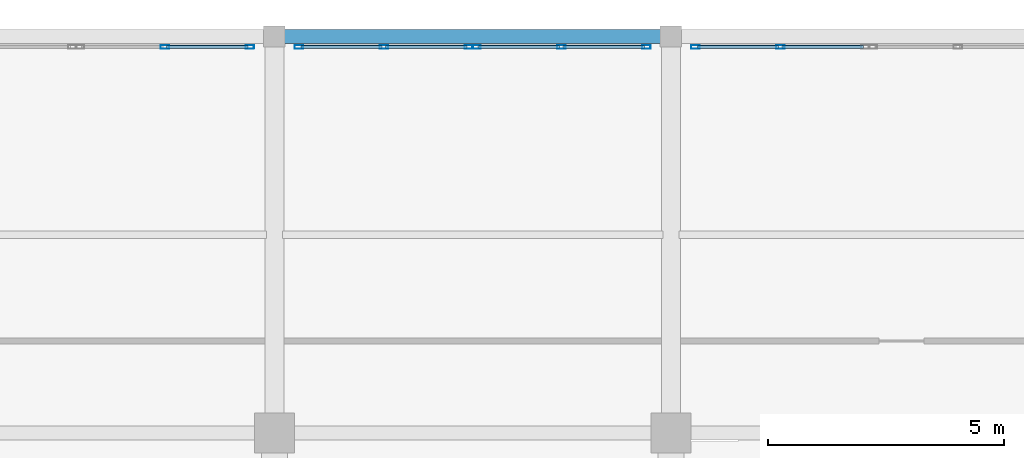
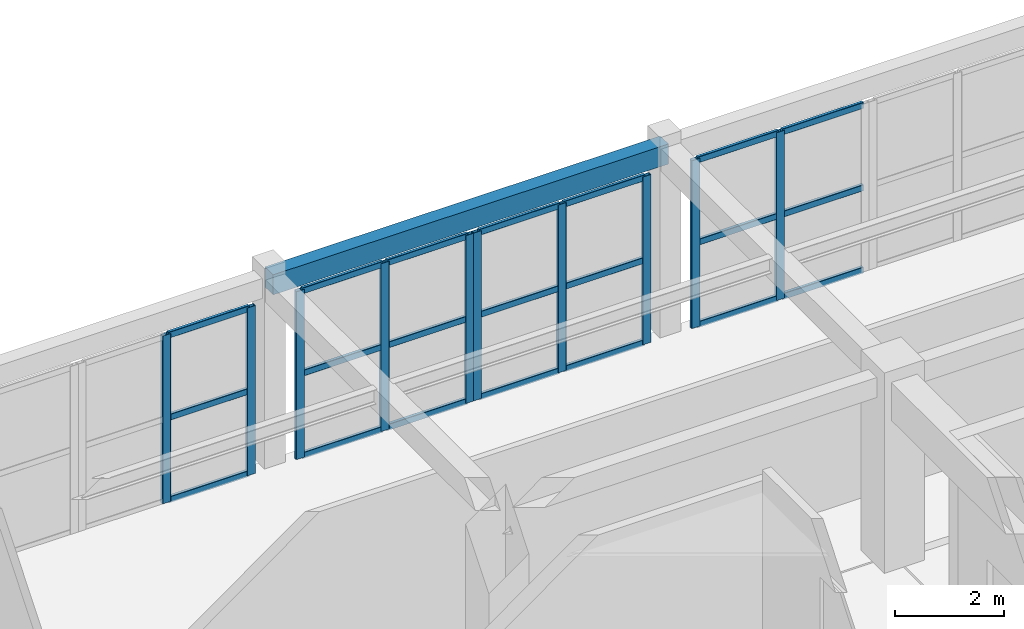
# One storey, part 39 of 92: 31 members, 1 beam, 4 elements without a shape of their own.
"""IFC4 building model written with IfcOpenShell, lengths in metres."""

from ifc_helpers import new_model, si_unit, direction, frame, origin, origin_2d, place, context, subcontext, project, spatial, rectangle, hollow_rectangle, extrude, material, layer, layer_set, material_profile, profile_set, type_object, element, aggregate, save


model = new_model("IFC4")

# Units and contexts
model_context = context("Model", 3, precision=1e-05, world=origin(), true_north=direction((0.0, 1.0)))
body_context = subcontext(model_context, "Body", "Model", "MODEL_VIEW")
ifc_project = project(units=[si_unit("LENGTHUNIT", "METRE"), si_unit("AREAUNIT", "SQUARE_METRE"), si_unit("VOLUMEUNIT", "CUBIC_METRE"), si_unit("PLANEANGLEUNIT", "RADIAN"), si_unit("MASSUNIT", "GRAM", prefix="KILO")], contexts=[model_context])

# Site, building, storey
site_placement = place(None, origin())
site = spatial("IfcSite", under=ifc_project, at=site_placement, CompositionType="ELEMENT")
building_placement = place(site_placement, origin())
building = spatial("IfcBuilding", under=site, at=building_placement, Name="Tarnavel Promenade Courthouse", CompositionType="ELEMENT")
storey_placement = place(building_placement, frame((0.0, 0.0, 5.39990234375)))
storey = spatial("IfcBuildingStorey", under=building, at=storey_placement, Name="L02", CompositionType="ELEMENT", Elevation=5.39990234375)

# Beam
ifc_material_1 = material(Name="Concrete C40/50", Category="concrete")
ifc_material_profile_1 = material_profile(ifc_material_1, rectangle(XDim=0.300048828125, YDim=0.449951171875, at=origin_2d()), Name="RC 300x450")
ifc_profile_set_1 = profile_set([ifc_material_profile_1], Name="Concrete C40/50")
beam_type = type_object("IfcBeamType", Name="Concrete C40/50 BM-SP-300x450 (RC 300x450)", PredefinedType="SPANDREL", material=ifc_profile_set_1)
beam_placement = place(storey_placement, frame((67.199951171875, 112.800048828125, 4.010009765625), z_axis=(1.0, 0.0, 0.0), x_axis=(0.0, 1.0, 0.0)))
element("IfcBeam", 1, at=beam_placement, inside=storey, type_object=beam_type, Name="L02 Primary Longitudinal Beam 1217", PredefinedType="SPANDREL", context=body_context, shape_type="SweptSolid", body=[
    extrude(rectangle(XDim=0.300048828125, YDim=0.449951171875, at=origin_2d()), origin(), (0.0, 0.0, 1.0), 8.400146484375),
])

# Curtain wall, members
ifc_material_2 = material(Name="Thermally Broken Anodised Aluminium Curtain Wall System", Category="aluminium")
ifc_layer = layer(ifc_material_2, 0.199951171875)
ifc_layer_set = layer_set([ifc_layer], Name="Thermally Broken Anodised Aluminium Curtain Wall System")
curtain_wall_type = type_object("IfcCurtainWallType", Name="Thermally Broken Aluminium Triple-Glazed Curtain Wall CW-FOYER", PredefinedType="NOTDEFINED", material=ifc_layer_set)
curtain_wall_1_placement = place(storey_placement, origin())
curtain_wall_1 = element("IfcCurtainWall", 2, at=curtain_wall_1_placement, inside=storey, type_object=curtain_wall_type, Name="L02 North Foyer Curtain Wall B 129", PredefinedType="NOTDEFINED")
ifc_material_3 = material(Name="Thermally Broken Anodised Aluminium Frame", Category="aluminium")
ifc_material_profile_2 = material_profile(ifc_material_3, hollow_rectangle(XDim=0.080078125, YDim=0.179931640625, WallThickness=0.0048828125, InnerFilletRadius=0.0048828125, OuterFilletRadius=0.010009765625, at=origin_2d()), Name="CWM 180x80x5")
ifc_profile_set_2 = profile_set([ifc_material_profile_2], Name="Thermally Broken Anodised Aluminium Frame")
member_type_1 = type_object("IfcMemberType", Name="Thermally Broken Anodised Aluminium CWM-155 (CWM 180x80x5)", PredefinedType="MULLION", material=ifc_profile_set_2)
member_1_placement = place(storey_placement, frame((64.8798828125, 112.580078125, 0.0), z_axis=(0.0, 0.0, 1.0), x_axis=(0.0, 1.0, 0.0)))
member_1 = element("IfcMember", 3, at=member_1_placement, type_object=member_type_1, Name="CW-04 mullion 2", PredefinedType="MULLION", context=body_context, shape_type="SweptSolid", body=[
    extrude(hollow_rectangle(XDim=0.080078125, YDim=0.179931640625, WallThickness=0.0048828125, InnerFilletRadius=0.0048828125, OuterFilletRadius=0.010009765625, at=origin_2d()), origin(), (0.0, 0.0, 1.0), 3.77001953125),
])
member_2_placement = place(storey_placement, frame((66.679931640625, 112.580078125, 0.0), z_axis=(0.0, 0.0, 1.0), x_axis=(0.0, 1.0, 0.0)))
member_2 = element("IfcMember", 4, at=member_2_placement, type_object=member_type_1, Name="CW-04 mullion 3", PredefinedType="MULLION", context=body_context, shape_type="SweptSolid", body=[
    extrude(hollow_rectangle(XDim=0.080078125, YDim=0.179931640625, WallThickness=0.0048828125, InnerFilletRadius=0.0048828125, OuterFilletRadius=0.010009765625, at=origin_2d()), origin(), (0.0, 0.0, 1.0), 3.77001953125),
])

curtain_wall_2_placement = place(storey_placement, origin())
curtain_wall_2 = element("IfcCurtainWall", 5, at=curtain_wall_2_placement, inside=storey, type_object=curtain_wall_type, Name="L02 North Foyer Curtain Wall A 130", PredefinedType="NOTDEFINED")
member_3_placement = place(storey_placement, frame((67.719970703125, 112.580078125, 0.0), z_axis=(0.0, 0.0, 1.0), x_axis=(0.0, 1.0, 0.0)))
member_3 = element("IfcMember", 6, at=member_3_placement, type_object=member_type_1, Name="CW-04 mullion 1", PredefinedType="MULLION", context=body_context, shape_type="SweptSolid", body=[
    extrude(hollow_rectangle(XDim=0.080078125, YDim=0.179931640625, WallThickness=0.0048828125, InnerFilletRadius=0.0048828125, OuterFilletRadius=0.010009765625, at=origin_2d()), origin(), (0.0, 0.0, 1.0), 3.77001953125),
])
member_4_placement = place(storey_placement, frame((69.52001953125, 112.580078125, 0.0), z_axis=(0.0, 0.0, 1.0), x_axis=(0.0, 1.0, 0.0)))
member_4 = element("IfcMember", 7, at=member_4_placement, type_object=member_type_1, Name="CW-04 mullion 2", PredefinedType="MULLION", context=body_context, shape_type="SweptSolid", body=[
    extrude(hollow_rectangle(XDim=0.080078125, YDim=0.179931640625, WallThickness=0.0048828125, InnerFilletRadius=0.0048828125, OuterFilletRadius=0.010009765625, at=origin_2d()), origin(), (0.0, 0.0, 1.0), 3.77001953125),
])
member_5_placement = place(storey_placement, frame((71.320068359375, 112.580078125, 0.0), z_axis=(0.0, 0.0, 1.0), x_axis=(0.0, 1.0, 0.0)))
member_5 = element("IfcMember", 8, at=member_5_placement, type_object=member_type_1, Name="CW-04 mullion 3", PredefinedType="MULLION", context=body_context, shape_type="SweptSolid", body=[
    extrude(hollow_rectangle(XDim=0.080078125, YDim=0.179931640625, WallThickness=0.0048828125, InnerFilletRadius=0.0048828125, OuterFilletRadius=0.010009765625, at=origin_2d()), origin(), (0.0, 0.0, 1.0), 3.77001953125),
])

curtain_wall_3_placement = place(storey_placement, origin())
curtain_wall_3 = element("IfcCurtainWall", 9, at=curtain_wall_3_placement, inside=storey, type_object=curtain_wall_type, Name="L02 North Foyer Curtain Wall B 131", PredefinedType="NOTDEFINED")
member_6_placement = place(storey_placement, frame((71.47998046875, 112.580078125, 0.0), z_axis=(0.0, 0.0, 1.0), x_axis=(0.0, 1.0, 0.0)))
member_6 = element("IfcMember", 10, at=member_6_placement, type_object=member_type_1, Name="CW-04 mullion 1", PredefinedType="MULLION", context=body_context, shape_type="SweptSolid", body=[
    extrude(hollow_rectangle(XDim=0.080078125, YDim=0.179931640625, WallThickness=0.0048828125, InnerFilletRadius=0.0048828125, OuterFilletRadius=0.010009765625, at=origin_2d()), origin(), (0.0, 0.0, 1.0), 3.77001953125),
])
member_7_placement = place(storey_placement, frame((73.280029296875, 112.580078125, 0.0), z_axis=(0.0, 0.0, 1.0), x_axis=(0.0, 1.0, 0.0)))
member_7 = element("IfcMember", 11, at=member_7_placement, type_object=member_type_1, Name="CW-04 mullion 2", PredefinedType="MULLION", context=body_context, shape_type="SweptSolid", body=[
    extrude(hollow_rectangle(XDim=0.080078125, YDim=0.179931640625, WallThickness=0.0048828125, InnerFilletRadius=0.0048828125, OuterFilletRadius=0.010009765625, at=origin_2d()), origin(), (0.0, 0.0, 1.0), 3.77001953125),
])
member_8_placement = place(storey_placement, frame((75.080078125, 112.580078125, 0.0), z_axis=(0.0, 0.0, 1.0), x_axis=(0.0, 1.0, 0.0)))
member_8 = element("IfcMember", 12, at=member_8_placement, type_object=member_type_1, Name="CW-04 mullion 3", PredefinedType="MULLION", context=body_context, shape_type="SweptSolid", body=[
    extrude(hollow_rectangle(XDim=0.080078125, YDim=0.179931640625, WallThickness=0.0048828125, InnerFilletRadius=0.0048828125, OuterFilletRadius=0.010009765625, at=origin_2d()), origin(), (0.0, 0.0, 1.0), 3.77001953125),
])

curtain_wall_4_placement = place(storey_placement, origin())
curtain_wall_4 = element("IfcCurtainWall", 13, at=curtain_wall_4_placement, inside=storey, type_object=curtain_wall_type, Name="L02 North Foyer Curtain Wall A 132", PredefinedType="NOTDEFINED")
member_9_placement = place(storey_placement, frame((76.1201171875, 112.580078125, 0.0), z_axis=(0.0, 0.0, 1.0), x_axis=(0.0, 1.0, 0.0)))
member_9 = element("IfcMember", 14, at=member_9_placement, type_object=member_type_1, Name="CW-04 mullion 1", PredefinedType="MULLION", context=body_context, shape_type="SweptSolid", body=[
    extrude(hollow_rectangle(XDim=0.080078125, YDim=0.179931640625, WallThickness=0.0048828125, InnerFilletRadius=0.0048828125, OuterFilletRadius=0.010009765625, at=origin_2d()), origin(), (0.0, 0.0, 1.0), 3.77001953125),
])
member_10_placement = place(storey_placement, frame((77.919921875, 112.580078125, 0.0), z_axis=(0.0, 0.0, 1.0), x_axis=(0.0, 1.0, 0.0)))
member_10 = element("IfcMember", 15, at=member_10_placement, type_object=member_type_1, Name="CW-04 mullion 2", PredefinedType="MULLION", context=body_context, shape_type="SweptSolid", body=[
    extrude(hollow_rectangle(XDim=0.080078125, YDim=0.179931640625, WallThickness=0.0048828125, InnerFilletRadius=0.0048828125, OuterFilletRadius=0.010009765625, at=origin_2d()), origin(), (0.0, 0.0, 1.0), 3.77001953125),
])

# Member
ifc_material_profile_3 = material_profile(ifc_material_3, hollow_rectangle(XDim=0.070068359375, YDim=0.139892578125, WallThickness=0.0048828125, InnerFilletRadius=0.0048828125, OuterFilletRadius=0.010009765625, at=origin_2d()), Name="CWT 140x70x5")
ifc_profile_set_3 = profile_set([ifc_material_profile_3], Name="Thermally Broken Anodised Aluminium Frame")
member_type_2 = type_object("IfcMemberType", Name="Thermally Broken Anodised Aluminium CWT-125 (CWT 140x70x5)", PredefinedType="USERDEFINED", material=ifc_profile_set_3)
member_11_placement = place(storey_placement, frame((64.919921875, 112.580078125, 0.03515625), z_axis=(1.0, 0.0, 0.0), x_axis=(0.0, 1.0, 0.0)))
member_11 = element("IfcMember", 16, at=member_11_placement, type_object=member_type_2, Name="CW-04 transom 2.1", ObjectType="TRANSOM", PredefinedType="USERDEFINED", context=body_context, shape_type="SweptSolid", body=[
    extrude(hollow_rectangle(XDim=0.070068359375, YDim=0.139892578125, WallThickness=0.0048828125, InnerFilletRadius=0.0048828125, OuterFilletRadius=0.010009765625, at=origin_2d()), origin(), (0.0, 0.0, 1.0), 1.719970703125),
])

member_12_placement = place(storey_placement, frame((64.919921875, 112.580078125, 1.885009765625), z_axis=(1.0, 0.0, 0.0), x_axis=(0.0, 1.0, 0.0)))
member_12 = element("IfcMember", 17, at=member_12_placement, type_object=member_type_2, Name="CW-04 transom 2.2", ObjectType="TRANSOM", PredefinedType="USERDEFINED", context=body_context, shape_type="SweptSolid", body=[
    extrude(hollow_rectangle(XDim=0.070068359375, YDim=0.139892578125, WallThickness=0.0048828125, InnerFilletRadius=0.0048828125, OuterFilletRadius=0.010009765625, at=origin_2d()), origin(), (0.0, 0.0, 1.0), 1.719970703125),
])

member_13_placement = place(storey_placement, frame((64.919921875, 112.580078125, 3.735107421875), z_axis=(1.0, 0.0, 0.0), x_axis=(0.0, 1.0, 0.0)))
member_13 = element("IfcMember", 18, at=member_13_placement, type_object=member_type_2, Name="CW-04 transom 2.3", ObjectType="TRANSOM", PredefinedType="USERDEFINED", context=body_context, shape_type="SweptSolid", body=[
    extrude(hollow_rectangle(XDim=0.070068359375, YDim=0.139892578125, WallThickness=0.0048828125, InnerFilletRadius=0.0048828125, OuterFilletRadius=0.010009765625, at=origin_2d()), origin(), (0.0, 0.0, 1.0), 1.719970703125),
])

aggregate(curtain_wall_1, [member_1, member_2, member_11, member_12, member_13])

member_14_placement = place(storey_placement, frame((67.760009765625, 112.580078125, 0.03515625), z_axis=(1.0, 0.0, 0.0), x_axis=(0.0, 1.0, 0.0)))
member_14 = element("IfcMember", 19, at=member_14_placement, type_object=member_type_2, Name="CW-04 transom 1.1", ObjectType="TRANSOM", PredefinedType="USERDEFINED", context=body_context, shape_type="SweptSolid", body=[
    extrude(hollow_rectangle(XDim=0.070068359375, YDim=0.139892578125, WallThickness=0.0048828125, InnerFilletRadius=0.0048828125, OuterFilletRadius=0.010009765625, at=origin_2d()), origin(), (0.0, 0.0, 1.0), 1.719970703125),
])

member_15_placement = place(storey_placement, frame((67.760009765625, 112.580078125, 1.885009765625), z_axis=(1.0, 0.0, 0.0), x_axis=(0.0, 1.0, 0.0)))
member_15 = element("IfcMember", 20, at=member_15_placement, type_object=member_type_2, Name="CW-04 transom 1.2", ObjectType="TRANSOM", PredefinedType="USERDEFINED", context=body_context, shape_type="SweptSolid", body=[
    extrude(hollow_rectangle(XDim=0.070068359375, YDim=0.139892578125, WallThickness=0.0048828125, InnerFilletRadius=0.0048828125, OuterFilletRadius=0.010009765625, at=origin_2d()), origin(), (0.0, 0.0, 1.0), 1.719970703125),
])

member_16_placement = place(storey_placement, frame((67.760009765625, 112.580078125, 3.735107421875), z_axis=(1.0, 0.0, 0.0), x_axis=(0.0, 1.0, 0.0)))
member_16 = element("IfcMember", 21, at=member_16_placement, type_object=member_type_2, Name="CW-04 transom 1.3", ObjectType="TRANSOM", PredefinedType="USERDEFINED", context=body_context, shape_type="SweptSolid", body=[
    extrude(hollow_rectangle(XDim=0.070068359375, YDim=0.139892578125, WallThickness=0.0048828125, InnerFilletRadius=0.0048828125, OuterFilletRadius=0.010009765625, at=origin_2d()), origin(), (0.0, 0.0, 1.0), 1.719970703125),
])

member_17_placement = place(storey_placement, frame((69.56005859375, 112.580078125, 0.03515625), z_axis=(1.0, 0.0, 0.0), x_axis=(0.0, 1.0, 0.0)))
member_17 = element("IfcMember", 22, at=member_17_placement, type_object=member_type_2, Name="CW-04 transom 2.1", ObjectType="TRANSOM", PredefinedType="USERDEFINED", context=body_context, shape_type="SweptSolid", body=[
    extrude(hollow_rectangle(XDim=0.070068359375, YDim=0.139892578125, WallThickness=0.0048828125, InnerFilletRadius=0.0048828125, OuterFilletRadius=0.010009765625, at=origin_2d()), origin(), (0.0, 0.0, 1.0), 1.719970703125),
])

member_18_placement = place(storey_placement, frame((69.56005859375, 112.580078125, 1.885009765625), z_axis=(1.0, 0.0, 0.0), x_axis=(0.0, 1.0, 0.0)))
member_18 = element("IfcMember", 23, at=member_18_placement, type_object=member_type_2, Name="CW-04 transom 2.2", ObjectType="TRANSOM", PredefinedType="USERDEFINED", context=body_context, shape_type="SweptSolid", body=[
    extrude(hollow_rectangle(XDim=0.070068359375, YDim=0.139892578125, WallThickness=0.0048828125, InnerFilletRadius=0.0048828125, OuterFilletRadius=0.010009765625, at=origin_2d()), origin(), (0.0, 0.0, 1.0), 1.719970703125),
])

member_19_placement = place(storey_placement, frame((69.56005859375, 112.580078125, 3.735107421875), z_axis=(1.0, 0.0, 0.0), x_axis=(0.0, 1.0, 0.0)))
member_19 = element("IfcMember", 24, at=member_19_placement, type_object=member_type_2, Name="CW-04 transom 2.3", ObjectType="TRANSOM", PredefinedType="USERDEFINED", context=body_context, shape_type="SweptSolid", body=[
    extrude(hollow_rectangle(XDim=0.070068359375, YDim=0.139892578125, WallThickness=0.0048828125, InnerFilletRadius=0.0048828125, OuterFilletRadius=0.010009765625, at=origin_2d()), origin(), (0.0, 0.0, 1.0), 1.719970703125),
])

aggregate(curtain_wall_2, [member_3, member_4, member_5, member_14, member_15, member_16, member_17, member_18, member_19])

member_20_placement = place(storey_placement, frame((71.52001953125, 112.580078125, 0.03515625), z_axis=(1.0, 0.0, 0.0), x_axis=(0.0, 1.0, 0.0)))
member_20 = element("IfcMember", 25, at=member_20_placement, type_object=member_type_2, Name="CW-04 transom 1.1", ObjectType="TRANSOM", PredefinedType="USERDEFINED", context=body_context, shape_type="SweptSolid", body=[
    extrude(hollow_rectangle(XDim=0.070068359375, YDim=0.139892578125, WallThickness=0.0048828125, InnerFilletRadius=0.0048828125, OuterFilletRadius=0.010009765625, at=origin_2d()), origin(), (0.0, 0.0, 1.0), 1.719970703125),
])

member_21_placement = place(storey_placement, frame((71.52001953125, 112.580078125, 1.885009765625), z_axis=(1.0, 0.0, 0.0), x_axis=(0.0, 1.0, 0.0)))
member_21 = element("IfcMember", 26, at=member_21_placement, type_object=member_type_2, Name="CW-04 transom 1.2", ObjectType="TRANSOM", PredefinedType="USERDEFINED", context=body_context, shape_type="SweptSolid", body=[
    extrude(hollow_rectangle(XDim=0.070068359375, YDim=0.139892578125, WallThickness=0.0048828125, InnerFilletRadius=0.0048828125, OuterFilletRadius=0.010009765625, at=origin_2d()), origin(), (0.0, 0.0, 1.0), 1.719970703125),
])

member_22_placement = place(storey_placement, frame((71.52001953125, 112.580078125, 3.735107421875), z_axis=(1.0, 0.0, 0.0), x_axis=(0.0, 1.0, 0.0)))
member_22 = element("IfcMember", 27, at=member_22_placement, type_object=member_type_2, Name="CW-04 transom 1.3", ObjectType="TRANSOM", PredefinedType="USERDEFINED", context=body_context, shape_type="SweptSolid", body=[
    extrude(hollow_rectangle(XDim=0.070068359375, YDim=0.139892578125, WallThickness=0.0048828125, InnerFilletRadius=0.0048828125, OuterFilletRadius=0.010009765625, at=origin_2d()), origin(), (0.0, 0.0, 1.0), 1.719970703125),
])

member_23_placement = place(storey_placement, frame((73.320068359375, 112.580078125, 0.03515625), z_axis=(1.0, 0.0, 0.0), x_axis=(0.0, 1.0, 0.0)))
member_23 = element("IfcMember", 28, at=member_23_placement, type_object=member_type_2, Name="CW-04 transom 2.1", ObjectType="TRANSOM", PredefinedType="USERDEFINED", context=body_context, shape_type="SweptSolid", body=[
    extrude(hollow_rectangle(XDim=0.070068359375, YDim=0.139892578125, WallThickness=0.0048828125, InnerFilletRadius=0.0048828125, OuterFilletRadius=0.010009765625, at=origin_2d()), origin(), (0.0, 0.0, 1.0), 1.719970703125),
])

member_24_placement = place(storey_placement, frame((73.320068359375, 112.580078125, 1.885009765625), z_axis=(1.0, 0.0, 0.0), x_axis=(0.0, 1.0, 0.0)))
member_24 = element("IfcMember", 29, at=member_24_placement, type_object=member_type_2, Name="CW-04 transom 2.2", ObjectType="TRANSOM", PredefinedType="USERDEFINED", context=body_context, shape_type="SweptSolid", body=[
    extrude(hollow_rectangle(XDim=0.070068359375, YDim=0.139892578125, WallThickness=0.0048828125, InnerFilletRadius=0.0048828125, OuterFilletRadius=0.010009765625, at=origin_2d()), origin(), (0.0, 0.0, 1.0), 1.719970703125),
])

member_25_placement = place(storey_placement, frame((73.320068359375, 112.580078125, 3.735107421875), z_axis=(1.0, 0.0, 0.0), x_axis=(0.0, 1.0, 0.0)))
member_25 = element("IfcMember", 30, at=member_25_placement, type_object=member_type_2, Name="CW-04 transom 2.3", ObjectType="TRANSOM", PredefinedType="USERDEFINED", context=body_context, shape_type="SweptSolid", body=[
    extrude(hollow_rectangle(XDim=0.070068359375, YDim=0.139892578125, WallThickness=0.0048828125, InnerFilletRadius=0.0048828125, OuterFilletRadius=0.010009765625, at=origin_2d()), origin(), (0.0, 0.0, 1.0), 1.719970703125),
])

aggregate(curtain_wall_3, [member_6, member_7, member_8, member_20, member_21, member_22, member_23, member_24, member_25])

member_26_placement = place(storey_placement, frame((76.159912109375, 112.580078125, 0.03515625), z_axis=(1.0, 0.0, 0.0), x_axis=(0.0, 1.0, 0.0)))
member_26 = element("IfcMember", 31, at=member_26_placement, type_object=member_type_2, Name="CW-04 transom 1.1", ObjectType="TRANSOM", PredefinedType="USERDEFINED", context=body_context, shape_type="SweptSolid", body=[
    extrude(hollow_rectangle(XDim=0.070068359375, YDim=0.139892578125, WallThickness=0.0048828125, InnerFilletRadius=0.0048828125, OuterFilletRadius=0.010009765625, at=origin_2d()), origin(), (0.0, 0.0, 1.0), 1.719970703125),
])

member_27_placement = place(storey_placement, frame((76.159912109375, 112.580078125, 1.885009765625), z_axis=(1.0, 0.0, 0.0), x_axis=(0.0, 1.0, 0.0)))
member_27 = element("IfcMember", 32, at=member_27_placement, type_object=member_type_2, Name="CW-04 transom 1.2", ObjectType="TRANSOM", PredefinedType="USERDEFINED", context=body_context, shape_type="SweptSolid", body=[
    extrude(hollow_rectangle(XDim=0.070068359375, YDim=0.139892578125, WallThickness=0.0048828125, InnerFilletRadius=0.0048828125, OuterFilletRadius=0.010009765625, at=origin_2d()), origin(), (0.0, 0.0, 1.0), 1.719970703125),
])

member_28_placement = place(storey_placement, frame((76.159912109375, 112.580078125, 3.735107421875), z_axis=(1.0, 0.0, 0.0), x_axis=(0.0, 1.0, 0.0)))
member_28 = element("IfcMember", 33, at=member_28_placement, type_object=member_type_2, Name="CW-04 transom 1.3", ObjectType="TRANSOM", PredefinedType="USERDEFINED", context=body_context, shape_type="SweptSolid", body=[
    extrude(hollow_rectangle(XDim=0.070068359375, YDim=0.139892578125, WallThickness=0.0048828125, InnerFilletRadius=0.0048828125, OuterFilletRadius=0.010009765625, at=origin_2d()), origin(), (0.0, 0.0, 1.0), 1.719970703125),
])

member_29_placement = place(storey_placement, frame((77.9599609375, 112.580078125, 0.03515625), z_axis=(1.0, 0.0, 0.0), x_axis=(0.0, 1.0, 0.0)))
member_29 = element("IfcMember", 34, at=member_29_placement, type_object=member_type_2, Name="CW-04 transom 2.1", ObjectType="TRANSOM", PredefinedType="USERDEFINED", context=body_context, shape_type="SweptSolid", body=[
    extrude(hollow_rectangle(XDim=0.070068359375, YDim=0.139892578125, WallThickness=0.0048828125, InnerFilletRadius=0.0048828125, OuterFilletRadius=0.010009765625, at=origin_2d()), origin(), (0.0, 0.0, 1.0), 1.719970703125),
])

member_30_placement = place(storey_placement, frame((77.9599609375, 112.580078125, 1.885009765625), z_axis=(1.0, 0.0, 0.0), x_axis=(0.0, 1.0, 0.0)))
member_30 = element("IfcMember", 35, at=member_30_placement, type_object=member_type_2, Name="CW-04 transom 2.2", ObjectType="TRANSOM", PredefinedType="USERDEFINED", context=body_context, shape_type="SweptSolid", body=[
    extrude(hollow_rectangle(XDim=0.070068359375, YDim=0.139892578125, WallThickness=0.0048828125, InnerFilletRadius=0.0048828125, OuterFilletRadius=0.010009765625, at=origin_2d()), origin(), (0.0, 0.0, 1.0), 1.719970703125),
])

member_31_placement = place(storey_placement, frame((77.9599609375, 112.580078125, 3.735107421875), z_axis=(1.0, 0.0, 0.0), x_axis=(0.0, 1.0, 0.0)))
member_31 = element("IfcMember", 36, at=member_31_placement, type_object=member_type_2, Name="CW-04 transom 2.3", ObjectType="TRANSOM", PredefinedType="USERDEFINED", context=body_context, shape_type="SweptSolid", body=[
    extrude(hollow_rectangle(XDim=0.070068359375, YDim=0.139892578125, WallThickness=0.0048828125, InnerFilletRadius=0.0048828125, OuterFilletRadius=0.010009765625, at=origin_2d()), origin(), (0.0, 0.0, 1.0), 1.719970703125),
])

aggregate(curtain_wall_4, [member_9, member_10, member_26, member_27, member_28, member_29, member_30, member_31])

save(model, "model.ifc")
